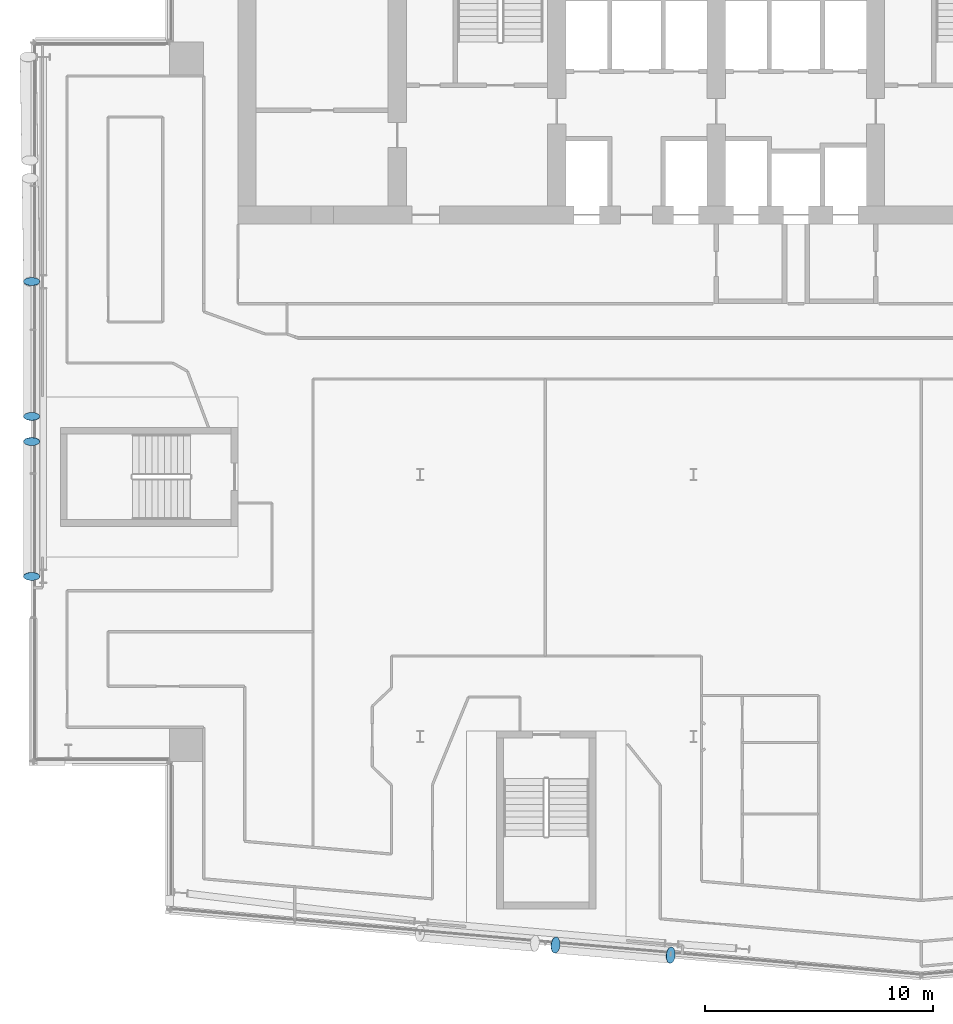
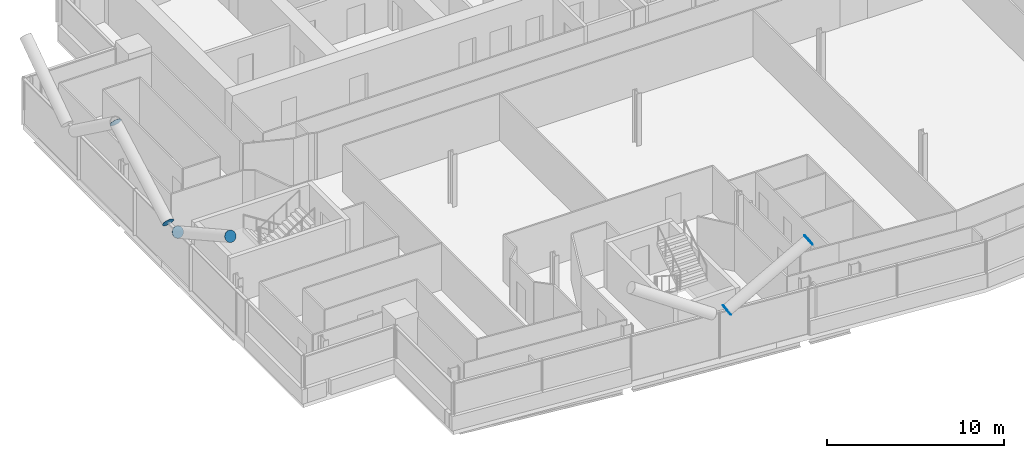
# One storey, part 22 of 28: 6 discrete accessories.
"""IFC4 building model written with IfcOpenShell, lengths in metres."""

import ifcopenshell
import ifcopenshell.guid

model = None  # the IFC model being written
_history = None  # IfcOwnerHistory: only IFC2X3 demands one
_inside = {}  # id of a spatial element -> (the spatial element, [elements in it])
_under = {}  # id of a project, library or spatial element -> (it, [spatial elements below it])
_declared = {}  # id of a project -> (the project, [libraries it declares])
_typed = {}  # id of a type object -> (the type object, [elements of that type])
_made_of = {}  # id of a material, layer set ... -> (it, [elements and type objects made of it])


def new_model(schema):
    """Start an empty IFC model of exactly this schema.

    Asked for "IFC4X3", IfcOpenShell would pick the latest addendum, in which some entities
    have other attributes; the version numbers below select the first issue.
    IFC2X3 requires an IfcOwnerHistory on every rooted entity: one is made here for all.
    """
    global model, _history
    if schema == "IFC4X3":
        model = ifcopenshell.file(schema_version=(4, 3, 0, 0))
    else:
        model = ifcopenshell.file(schema=schema)
    _inside.clear()
    _under.clear()
    _declared.clear()
    _typed.clear()
    _made_of.clear()
    _history = None
    if model.schema == "IFC2X3":
        org = make("IfcOrganization", Name="unknown")
        user = make(
            "IfcPersonAndOrganization",
            ThePerson=make("IfcPerson", FamilyName="unknown"),
            TheOrganization=org,
        )
        app = make(
            "IfcApplication",
            ApplicationDeveloper=org,
            Version="unknown",
            ApplicationFullName="unknown",
            ApplicationIdentifier="unknown",
        )
        _history = make(
            "IfcOwnerHistory",
            OwningUser=user,
            OwningApplication=app,
            ChangeAction="ADDED",
            CreationDate=0,
        )
    return model


def make(cls, **values):
    """One entity of the class cls with the attributes given. An attribute that is None is left unset."""
    return model.create_entity(
        cls, **{name: value for name, value in values.items() if value is not None}
    )


def rooted(cls, **values):
    """An entity with a GlobalId (a new one), such as an element, a storey or a relation."""
    return make(cls, GlobalId=ifcopenshell.guid.new(), OwnerHistory=_history, **values)


def si_unit(unit_type, name, prefix=None):
    """IfcSIUnit, for example si_unit("LENGTHUNIT", "METRE", prefix="MILLI")."""
    return make("IfcSIUnit", UnitType=unit_type, Prefix=prefix, Name=name)


def assignment(units):
    """IfcUnitAssignment: the units of a project."""
    return None if units is None else make("IfcUnitAssignment", Units=units)


def point(xyz):
    """IfcCartesianPoint."""
    return None if xyz is None else make("IfcCartesianPoint", Coordinates=xyz)


def direction(xyz):
    """IfcDirection."""
    return None if xyz is None else make("IfcDirection", DirectionRatios=xyz)


def frame(location, z_axis=None, x_axis=None):
    """IfcAxis2Placement3D, a coordinate frame: its origin and axes. An axis left out is left unset."""
    return make(
        "IfcAxis2Placement3D",
        Location=point(location),
        Axis=direction(z_axis),
        RefDirection=direction(x_axis),
    )


def frame_2d(location, x_axis=None):
    """IfcAxis2Placement2D, a coordinate frame in the plane: its origin and x axis."""
    return make(
        "IfcAxis2Placement2D", Location=point(location), RefDirection=direction(x_axis)
    )


def origin():
    """The frame at (0, 0, 0) with its axes left unset."""
    return frame((0.0, 0.0, 0.0))


def origin_2d():
    """The frame at (0, 0) in the plane with its x axis left unset."""
    return frame_2d((0.0, 0.0))


def place(relative_to, where):
    """IfcLocalPlacement: puts the frame where relative to a parent placement (None: the world)."""
    return make(
        "IfcLocalPlacement", PlacementRelTo=relative_to, RelativePlacement=where
    )


def context(
    kind, dimensions, precision=None, world=None, true_north=None, identifier=None
):
    """IfcGeometricRepresentationContext, for example the 3D "Model" context."""
    return make(
        "IfcGeometricRepresentationContext",
        ContextIdentifier=identifier,
        ContextType=kind,
        CoordinateSpaceDimension=dimensions,
        Precision=precision,
        WorldCoordinateSystem=world,
        TrueNorth=true_north,
    )


def subcontext(parent, identifier, kind, view, scale=None):
    """IfcGeometricRepresentationSubContext, for example "Body" below "Model"."""
    return make(
        "IfcGeometricRepresentationSubContext",
        ContextIdentifier=identifier,
        ContextType=kind,
        ParentContext=parent,
        TargetScale=scale,
        TargetView=view,
    )


def project(units=None, contexts=None):
    """IfcProject with its units and contexts."""
    return rooted(
        "IfcProject",
        Name="project",
        RepresentationContexts=contexts,
        UnitsInContext=assignment(units),
    )


def spatial(cls, under=None, at=None, **own):
    """A site, building, storey or space (cls), placed at a placement, below another one or the project."""
    s = rooted(cls, ObjectPlacement=at, **own)
    if under is not None:
        _under.setdefault(under.id(), (under, []))[1].append(s)
    return s


def profile(cls, at=None, kind="AREA", **sizes):
    """A parametric profile (cls). Its sizes go by their IFC names, for example OverallWidth=200.0."""
    return make(cls, ProfileType=kind, Position=at, **sizes)


def circle(**sizes):
    """IfcCircleProfileDef."""
    return profile("IfcCircleProfileDef", **sizes)


def extrude(swept, where, along, depth):
    """IfcExtrudedAreaSolid: the profile swept, set in the frame where, extruded along a direction by depth."""
    return make(
        "IfcExtrudedAreaSolid",
        SweptArea=swept,
        Position=where,
        ExtrudedDirection=direction(along),
        Depth=depth,
    )


def shape(context_of_items, identifier, shape_type, items):
    """IfcShapeRepresentation: the items that make up one representation, for example the "Body"."""
    return make(
        "IfcShapeRepresentation",
        ContextOfItems=context_of_items,
        RepresentationIdentifier=identifier,
        RepresentationType=shape_type,
        Items=items,
    )


def material(Name=None, Category=None):
    """IfcMaterial."""
    return make("IfcMaterial", Name=Name, Category=Category)


def material_profile(
    of_material, cross_section, Name=None, Category=None, Priority=None
):
    """IfcMaterialProfile: a cross section and its material."""
    return make(
        "IfcMaterialProfile",
        Name=Name,
        Material=of_material,
        Profile=cross_section,
        Priority=Priority,
        Category=Category,
    )


def profile_set(profiles, Name=None, composite=None):
    """IfcMaterialProfileSet."""
    return make(
        "IfcMaterialProfileSet",
        Name=Name,
        MaterialProfiles=profiles,
        CompositeProfile=composite,
    )


def made_of(thing, what):
    """Note that an element or type object is made of a material, layer set ...; save() writes the relation."""
    if what is not None:
        _made_of.setdefault(what.id(), (what, []))[1].append(thing)
    return thing


def type_object(cls, material=None, **own):
    """A type object (cls), such as IfcWallType, which elements share."""
    return made_of(rooted(cls, **own), material)


def element(
    cls,
    number,
    at=None,
    inside=None,
    cuts=None,
    type_object=None,
    material=None,
    context=None,
    identifier="Body",
    shape_type=None,
    held_by="IfcProductDefinitionShape",
    body=None,
    shapes=None,
    **own,
):
    """One element of the class cls, such as IfcWall. Its Tag is "e" and its number.

    at: its placement. inside: the storey or other place that contains it. cuts: it is an
    opening in that element (IfcRelVoidsElement). A single representation is given by context,
    identifier, shape_type and body (its items); several are given by shapes. held_by: the class
    of the entity that holds the representations. save() writes the other relations.
    """
    e = rooted(cls, Tag="e%d" % number, ObjectPlacement=at, **own)
    if body is not None:
        shapes = [shape(context, identifier, shape_type, body)]
    if shapes is not None:
        e.Representation = make(held_by, Representations=shapes)
    if inside is not None:
        _inside.setdefault(inside.id(), (inside, []))[1].append(e)
    if cuts is not None:
        rooted(
            "IfcRelVoidsElement", RelatingBuildingElement=cuts, RelatedOpeningElement=e
        )
    if type_object is not None:
        _typed.setdefault(type_object.id(), (type_object, []))[1].append(e)
    return made_of(e, material)


def aggregate(whole, parts):
    """IfcRelAggregates: a whole, such as a stair, and the parts it consists of."""
    return rooted("IfcRelAggregates", RelatingObject=whole, RelatedObjects=parts)


def save(model, path):
    """Write the relations noted so far, then the file.

    IfcRelAggregates (storeys below a building ...), IfcRelContainedInSpatialStructure (elements
    in a storey), IfcRelDefinesByType, IfcRelAssociatesMaterial and IfcRelDeclares: one each for
    every whole, place, type object, material and project.
    """
    for whole, parts in _under.values():
        aggregate(whole, parts)
    for where, things in _inside.values():
        rooted(
            "IfcRelContainedInSpatialStructure",
            RelatedElements=things,
            RelatingStructure=where,
        )
    for kind, things in _typed.values():
        rooted("IfcRelDefinesByType", RelatedObjects=things, RelatingType=kind)
    for what, things in _made_of.values():
        rooted("IfcRelAssociatesMaterial", RelatedObjects=things, RelatingMaterial=what)
    for by, libraries in _declared.values():
        rooted("IfcRelDeclares", RelatingContext=by, RelatedDefinitions=libraries)
    model.write(path)


model = new_model("IFC4")

# Units and contexts
model_context = context("Model", 3, precision=1e-05, world=origin(), true_north=direction((0.0, 1.0)))
body_context = subcontext(model_context, "Body", "Model", "MODEL_VIEW")
ifc_project = project(units=[si_unit("LENGTHUNIT", "METRE"), si_unit("AREAUNIT", "SQUARE_METRE"), si_unit("VOLUMEUNIT", "CUBIC_METRE"), si_unit("PLANEANGLEUNIT", "RADIAN"), si_unit("MASSUNIT", "GRAM", prefix="KILO")], contexts=[model_context])

# Site, building, storey
site_placement = place(None, origin())
site = spatial("IfcSite", under=ifc_project, at=site_placement, CompositionType="ELEMENT")
building_placement = place(site_placement, origin())
building = spatial("IfcBuilding", under=site, at=building_placement, Name="Wharfspan Tower", CompositionType="ELEMENT")
storey_placement = place(building_placement, frame((0.0, 0.0, 187.899902)))
storey = spatial("IfcBuildingStorey", under=building, at=storey_placement, Name="L46", CompositionType="ELEMENT", Elevation=187.899902)

# Discrete accessories
ifc_material = material(Name="Steel S460NH", Category="steel")
ifc_material_profile = material_profile(ifc_material, circle(Radius=0.355469, at=origin_2d()))
ifc_profile_set = profile_set([ifc_material_profile], Name="Steel S460NH")
discrete_accessory_type = type_object("IfcDiscreteAccessoryType", Name="End plate CHS 711x36", PredefinedType="BRACKET", material=ifc_profile_set)
discrete_accessory_1_placement = place(storey_placement, frame((29.938721, 2.337891, 3.19043), z_axis=(0.837276, -0.073877, 0.541767), x_axis=(0.087893, 0.996132, 1e-06)))
element("IfcDiscreteAccessory", 1, at=discrete_accessory_1_placement, inside=storey, type_object=discrete_accessory_type, Name="End plate CHS 711x36", PredefinedType="BRACKET", context=body_context, shape_type="SweptSolid", body=[
    extrude(circle(Radius=0.355469, at=origin_2d()), origin(), (0.0, 0.0, 1.0), 0.01001),
])
discrete_accessory_2_placement = place(storey_placement, frame((34.995117, 1.895508, 6.5), z_axis=(0.83357, -0.071449, 0.547774), x_axis=(0.085401, 0.996343, 0.0)))
element("IfcDiscreteAccessory", 2, at=discrete_accessory_2_placement, inside=storey, type_object=discrete_accessory_type, Name="End plate CHS 711x36", PredefinedType="BRACKET", context=body_context, shape_type="SweptSolid", body=[
    extrude(circle(Radius=0.355469, at=origin_2d()), origin(), (0.0, 0.0, 1.0), 0.010254),
])
for number, where, z_axis, x_axis, name in (
    (3, (6.945068, 24.454346, 3.203857), (0.0, -0.874157, 0.485643), (1.0, 0.0, 0.0), "End plate CHS 711x36"),
    (4, (6.945068, 18.533447, 6.5), (0.0, -0.874157, 0.485643), (1.0, 0.0, 0.0), "End plate CHS 711x36"),
    (5, (6.945068, 25.545654, 3.203857), (0.0, 0.874157, 0.485643), (-1.0, 0.0, 0.0), "End plate CHS 711x36"),
    (6, (6.945068, 31.466553, 6.5), (0.0, 0.874157, 0.485643), (-1.0, 0.0, 0.0), "End plate CHS 711x36"),
):
    element("IfcDiscreteAccessory", number, at=place(storey_placement, frame(where, z_axis=z_axis, x_axis=x_axis)), inside=storey, type_object=discrete_accessory_type, Name=name, PredefinedType="BRACKET", context=body_context, shape_type="SweptSolid", body=[
        extrude(circle(Radius=0.355469, at=origin_2d()), origin(), (0.0, 0.0, 1.0), 0.01001),
    ])

save(model, "model.ifc")
